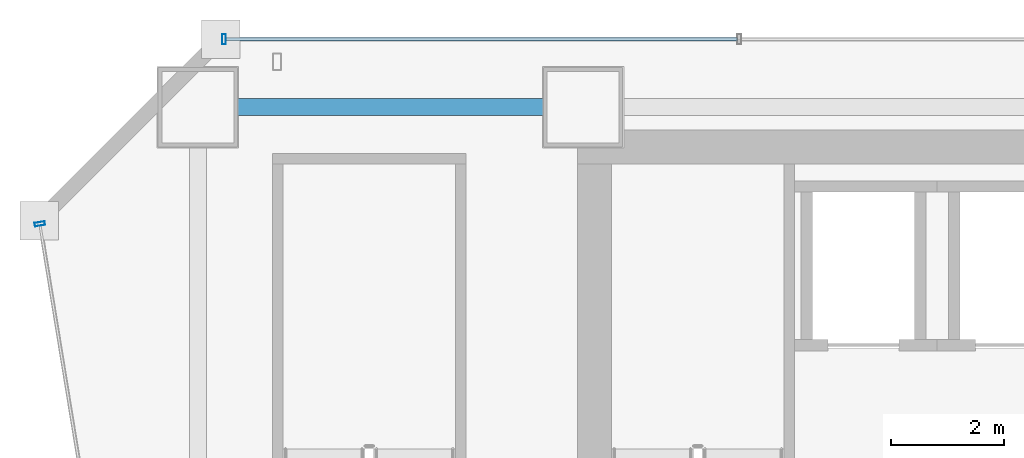
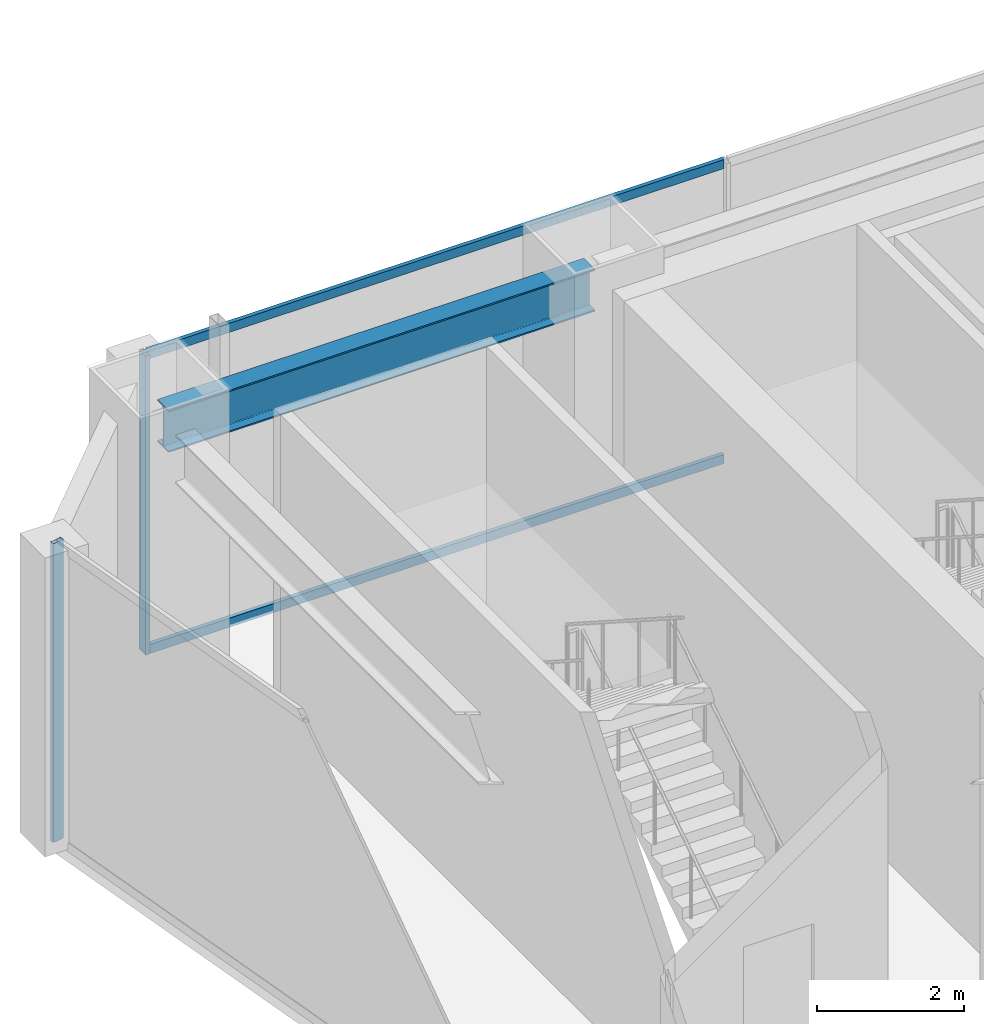
# One storey, part 29 of 42: 4 members, 1 beam, 2 elements without a shape of their own.
"""IFC4 building model written with IfcOpenShell, lengths in metres."""

from ifc_helpers import new_model, si_unit, direction, frame, origin, origin_2d, place, context, subcontext, project, spatial, hollow_rectangle, i_section, extrude, material, material_profile, profile_set, type_object, element, aggregate, save


model = new_model("IFC4")

# Units and contexts
model_context = context("Model", 3, precision=1e-05, world=origin(), true_north=direction((0.0, 1.0)))
body_context = subcontext(model_context, "Body", "Model", "MODEL_VIEW")
ifc_project = project(units=[si_unit("LENGTHUNIT", "METRE"), si_unit("AREAUNIT", "SQUARE_METRE"), si_unit("VOLUMEUNIT", "CUBIC_METRE"), si_unit("PLANEANGLEUNIT", "RADIAN"), si_unit("MASSUNIT", "GRAM", prefix="KILO")], contexts=[model_context])

# Site, building, storey
site_placement = place(None, origin())
site = spatial("IfcSite", under=ifc_project, at=site_placement, CompositionType="ELEMENT")
building_placement = place(site_placement, origin())
building = spatial("IfcBuilding", under=site, at=building_placement, Name="Saevonmaru Cultural Tower", CompositionType="ELEMENT")
storey_placement = place(building_placement, frame((0.0, 0.0, 33.0)))
storey = spatial("IfcBuildingStorey", under=building, at=storey_placement, Name="L06", CompositionType="ELEMENT", Elevation=33.0)

# Beam
ifc_material_1 = material(Name="Steel SM355", Category="steel")
ifc_material_profile_1 = material_profile(ifc_material_1, i_section(OverallWidth=0.300048828125, OverallDepth=0.699951171875, WebThickness=0.012939453125, FlangeThickness=0.02392578125, FilletRadius=0.02587890625, at=origin_2d()), Name="H-700x300x13x24")
ifc_profile_set_1 = profile_set([ifc_material_profile_1], Name="Steel SM355")
beam_type = type_object("IfcBeamType", Name="BM-SP-H700", PredefinedType="SPANDREL", material=ifc_profile_set_1)
beam_placement = place(storey_placement, frame((6.860107421875, 54.800048828125, 4.60009765625), z_axis=(1.0, 0.0, 0.0), x_axis=(0.0, 1.0, 0.0)))
element("IfcBeam", 1, at=beam_placement, inside=storey, type_object=beam_type, Name="L06 North Spine Girder 1", PredefinedType="SPANDREL", context=body_context, shape_type="SweptSolid", body=[
    extrude(i_section(OverallWidth=0.300048828125, OverallDepth=0.699951171875, WebThickness=0.012939453125, FlangeThickness=0.02392578125, FilletRadius=0.02587890625, at=origin_2d()), origin(), (0.0, 0.0, 1.0), 6.679931640625),
])

# Curtain wall, member
ifc_material_2 = material(Name="Satin Bronze Anodised Aluminium", Category="aluminium")
curtain_wall_type = type_object("IfcCurtainWallType", Name="CW-SKY-GLZ", PredefinedType="NOTDEFINED", material=ifc_material_2)
curtain_wall_1_placement = place(storey_placement, origin())
curtain_wall_1 = element("IfcCurtainWall", 2, at=curtain_wall_1_placement, inside=storey, type_object=curtain_wall_type, Name="L06 Unitised Curtain Wall E10", PredefinedType="NOTDEFINED")
ifc_material_profile_2 = material_profile(ifc_material_2, hollow_rectangle(XDim=0.06494140625, YDim=0.179931640625, WallThickness=0.00390625, at=origin_2d()), Name="ALU-MULL-180x65x4")
ifc_profile_set_2 = profile_set([ifc_material_profile_2], Name="Satin Bronze Anodised Aluminium")
member_type_1 = type_object("IfcMemberType", Name="ML-CW-180x65", PredefinedType="MULLION", material=ifc_profile_set_2)
member_1_placement = place(storey_placement, frame((7.260009765625, 56.0, 0.0), z_axis=(0.0, 0.0, 1.0), x_axis=(-1.0, 0.0, 0.0)))
member_1 = element("IfcMember", 3, at=member_1_placement, type_object=member_type_1, Name="CW-TW-L06-E10 mullion 6", PredefinedType="MULLION", context=body_context, shape_type="SweptSolid", body=[
    extrude(hollow_rectangle(XDim=0.06494140625, YDim=0.179931640625, WallThickness=0.00390625, at=origin_2d()), origin(), (0.0, 0.0, 1.0), 4.949951171875),
])

curtain_wall_2_placement = place(storey_placement, origin())
curtain_wall_2 = element("IfcCurtainWall", 4, at=curtain_wall_2_placement, inside=storey, type_object=curtain_wall_type, Name="L06 Unitised Curtain Wall E12", PredefinedType="NOTDEFINED")
member_2_placement = place(storey_placement, frame((4.009765625, 52.74072265625, 0.0), z_axis=(0.0, 0.0, 1.0), x_axis=(0.161708868641, -0.986838508472, 0.0)))
member_2 = element("IfcMember", 5, at=member_2_placement, type_object=member_type_1, Name="CW-TW-L06-E12 mullion 1", PredefinedType="MULLION", context=body_context, shape_type="SweptSolid", body=[
    extrude(hollow_rectangle(XDim=0.06494140625, YDim=0.179931640625, WallThickness=0.00390625, at=origin_2d()), origin(), (0.0, 0.0, 1.0), 4.949951171875),
])
aggregate(curtain_wall_2, [member_2])

# Member
ifc_material_profile_3 = material_profile(ifc_material_2, hollow_rectangle(XDim=0.06494140625, YDim=0.14990234375, WallThickness=0.00390625, at=origin_2d()), Name="ALU-TRAN-150x65x4")
ifc_profile_set_3 = profile_set([ifc_material_profile_3], Name="Satin Bronze Anodised Aluminium")
member_type_2 = type_object("IfcMemberType", Name="TR-CW-150x65", PredefinedType="USERDEFINED", material=ifc_profile_set_3)
member_3_placement = place(storey_placement, frame((16.323486328125, 56.0, 0.032470703125), z_axis=(-1.0, 0.0, 0.0), x_axis=(0.0, -1.0, 0.0)))
member_3 = element("IfcMember", 6, at=member_3_placement, type_object=member_type_2, Name="CW-TW-L06-E10 transom 5.1", ObjectType="TRANSOM", PredefinedType="USERDEFINED", context=body_context, shape_type="SweptSolid", body=[
    extrude(hollow_rectangle(XDim=0.06494140625, YDim=0.14990234375, WallThickness=0.00390625, at=origin_2d()), origin(), (0.0, 0.0, 1.0), 9.031005859375),
])

member_4_placement = place(storey_placement, frame((16.323486328125, 56.0, 4.91748046875), z_axis=(-1.0, 0.0, 0.0), x_axis=(0.0, -1.0, 0.0)))
member_4 = element("IfcMember", 7, at=member_4_placement, type_object=member_type_2, Name="CW-TW-L06-E10 transom 5.2", ObjectType="TRANSOM", PredefinedType="USERDEFINED", context=body_context, shape_type="SweptSolid", body=[
    extrude(hollow_rectangle(XDim=0.06494140625, YDim=0.14990234375, WallThickness=0.00390625, at=origin_2d()), origin(), (0.0, 0.0, 1.0), 9.031005859375),
])

aggregate(curtain_wall_1, [member_1, member_3, member_4])

save(model, "model.ifc")
